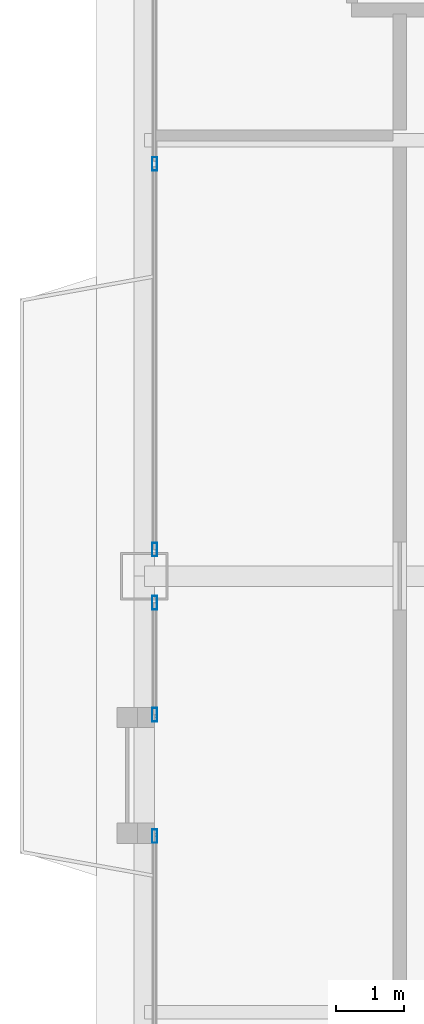
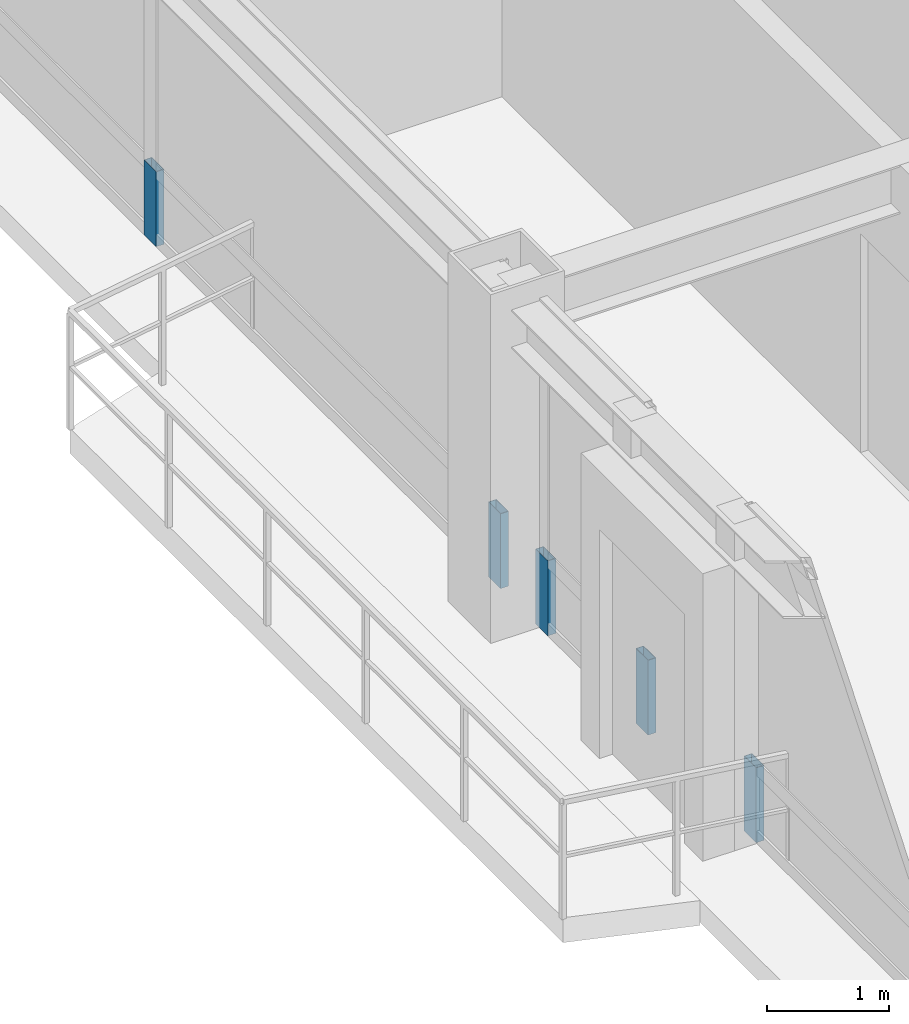
# One storey, part 21 of 33: 5 members, 3 elements without a shape of their own.
"""IFC4 building model written with IfcOpenShell, lengths in metres."""

from ifc_helpers import new_model, si_unit, direction, frame, origin, origin_2d, place, context, subcontext, project, spatial, hollow_rectangle, extrude, source, transform, mapped, material, layer, layer_set, material_profile, profile_set, type_object, element, aggregate, save


model = new_model("IFC4")

# Units and contexts
model_context = context("Model", 3, precision=1e-05, world=origin(), true_north=direction((0.0, 1.0)))
body_context = subcontext(model_context, "Body", "Model", "MODEL_VIEW")
ifc_project = project(units=[si_unit("LENGTHUNIT", "METRE"), si_unit("AREAUNIT", "SQUARE_METRE"), si_unit("VOLUMEUNIT", "CUBIC_METRE"), si_unit("PLANEANGLEUNIT", "RADIAN"), si_unit("MASSUNIT", "GRAM", prefix="KILO"), si_unit("THERMODYNAMICTEMPERATUREUNIT", "KELVIN"), si_unit("POWERUNIT", "WATT")], contexts=[model_context])

# Site, building, storey
site_placement = place(None, origin())
site = spatial("IfcSite", under=ifc_project, at=site_placement, CompositionType="ELEMENT")
building_placement = place(site_placement, origin())
building = spatial("IfcBuilding", under=site, at=building_placement, Name="Yuzanri Waterfront Tower", CompositionType="ELEMENT")
storey_placement = place(building_placement, frame((0.0, 0.0, 292.60009765625)))
storey = spatial("IfcBuildingStorey", under=building, at=storey_placement, Name="L78", CompositionType="ELEMENT", Elevation=292.60009765625)

# Curtain wall, member
ifc_material_1 = material(Name="Anodized Architectural Bronze", Category="metal")
ifc_layer = layer(ifc_material_1, 0.159912109375)
ifc_layer_set = layer_set([ifc_layer], Name="Anodized Architectural Bronze")
curtain_wall_type = type_object("IfcCurtainWallType", Name="Anodized Bronze High-Rise Penthouse High-Wind Unitized Curtain Wall 6900", PredefinedType="NOTDEFINED", material=ifc_layer_set)
curtain_wall_1_placement = place(storey_placement, origin())
curtain_wall_1 = element("IfcCurtainWall", 1, at=curtain_wall_1_placement, inside=storey, type_object=curtain_wall_type, Name="L78 Curtain Wall CW-L78-WL1", PredefinedType="NOTDEFINED")
ifc_material_2 = material(Name="Anodized Architectural Bronze", Category="metal")
ifc_material_profile = material_profile(ifc_material_2, hollow_rectangle(XDim=0.074951171875, YDim=0.199951171875, WallThickness=0.00390625, at=origin_2d()), Name="CWM 75x200")
ifc_profile_set = profile_set([ifc_material_profile], Name="Anodized Architectural Bronze")
member_type = type_object("IfcMemberType", Name="Anodized Bronze Primary Curtain-Wall Mullion 75x200", PredefinedType="MULLION", material=ifc_profile_set)
shared_shape = source(origin(), body_context, "Body", "SweptSolid", [
    extrude(hollow_rectangle(XDim=0.074951171875, YDim=0.199951171875, WallThickness=0.00390625, at=origin_2d()), origin(), (0.0, 0.0, 1.0), 0.751953125),
])
member_1_placement = place(storey_placement, frame((18.050048828125, 21.985107421875, 0.0), z_axis=(0.0, 0.0, 1.0), x_axis=(1.0, 0.0, 0.0)))
member_1 = element("IfcMember", 2, at=member_1_placement, type_object=member_type, Name="CW-L78-WL1 Lower Mullion 01", PredefinedType="MULLION", context=body_context, shape_type="MappedRepresentation", body=[
    mapped(shared_shape, transform((0.0, 0.0, 0.0), scale=1.0)),
])
aggregate(curtain_wall_1, [member_1])

# Curtain wall, members
curtain_wall_2_placement = place(storey_placement, origin())
curtain_wall_2 = element("IfcCurtainWall", 3, at=curtain_wall_2_placement, inside=storey, type_object=curtain_wall_type, Name="L78 Curtain Wall CW-L78-WL2", PredefinedType="NOTDEFINED")
member_2_placement = place(storey_placement, frame((18.050048828125, 23.764892578125, 0.0), z_axis=(0.0, 0.0, 1.0), x_axis=(1.0, 0.0, 0.0)))
member_2 = element("IfcMember", 4, at=member_2_placement, type_object=member_type, Name="CW-L78-WL2 Lower Mullion 00", PredefinedType="MULLION", context=body_context, shape_type="MappedRepresentation", body=[
    mapped(shared_shape, transform((0.0, 0.0, 0.0), scale=1.0)),
])
member_3_placement = place(storey_placement, frame((18.050048828125, 25.409912109375, 0.0), z_axis=(0.0, 0.0, 1.0), x_axis=(1.0, 0.0, 0.0)))
member_3 = element("IfcMember", 5, at=member_3_placement, type_object=member_type, Name="CW-L78-WL2 Lower Mullion 01", PredefinedType="MULLION", context=body_context, shape_type="MappedRepresentation", body=[
    mapped(shared_shape, transform((0.0, 0.0, 0.0), scale=1.0)),
])
aggregate(curtain_wall_2, [member_2, member_3])

curtain_wall_3_placement = place(storey_placement, origin())
curtain_wall_3 = element("IfcCurtainWall", 6, at=curtain_wall_3_placement, inside=storey, type_object=curtain_wall_type, Name="L78 Curtain Wall CW-L78-WR", PredefinedType="NOTDEFINED")
member_4_placement = place(storey_placement, frame((18.050048828125, 26.18994140625, 0.0), z_axis=(0.0, 0.0, 1.0), x_axis=(1.0, 0.0, 0.0)))
member_4 = element("IfcMember", 7, at=member_4_placement, type_object=member_type, Name="CW-L78-WR Lower Mullion 00", PredefinedType="MULLION", context=body_context, shape_type="MappedRepresentation", body=[
    mapped(shared_shape, transform((0.0, 0.0, 0.0), scale=1.0)),
])
member_5_placement = place(storey_placement, frame((18.050048828125, 31.85009765625, 0.0), z_axis=(0.0, 0.0, 1.0), x_axis=(1.0, 0.0, 0.0)))
member_5 = element("IfcMember", 8, at=member_5_placement, type_object=member_type, Name="CW-L78-WR Lower Mullion 01", PredefinedType="MULLION", context=body_context, shape_type="MappedRepresentation", body=[
    mapped(shared_shape, transform((0.0, 0.0, 0.0), scale=1.0)),
])
aggregate(curtain_wall_3, [member_4, member_5])

save(model, "model.ifc")
